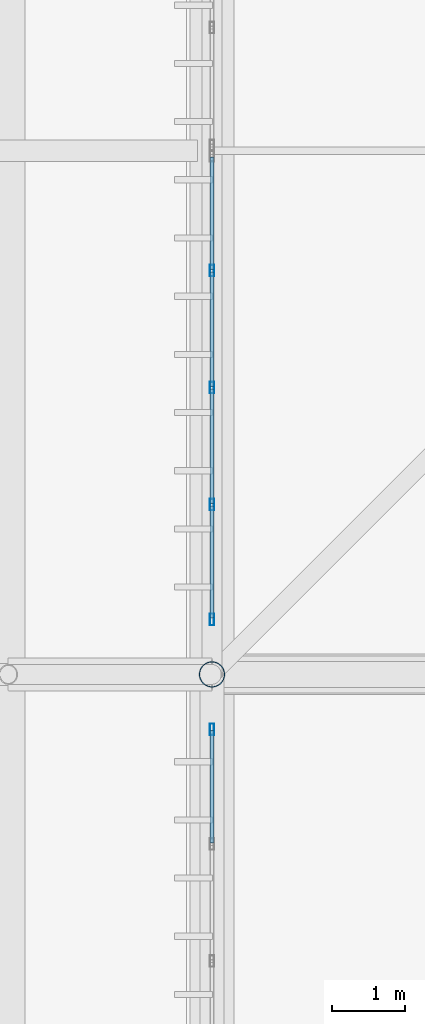
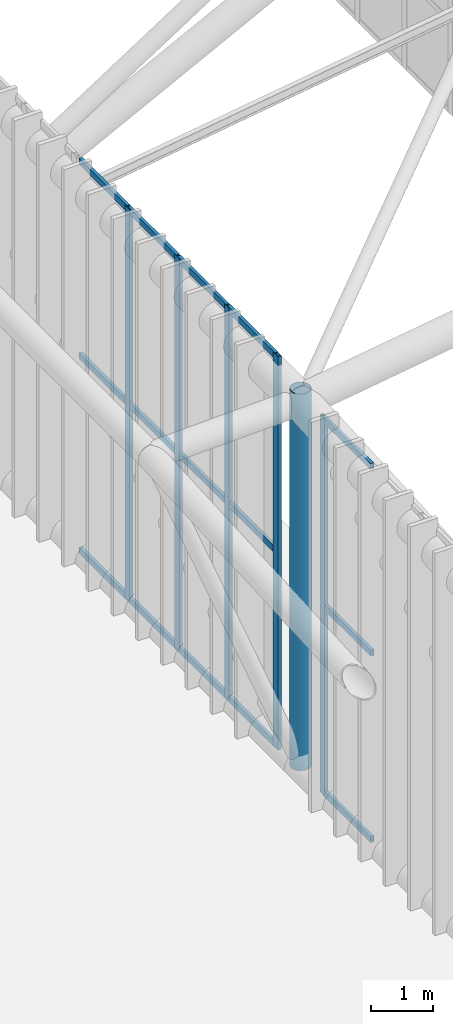
# One storey, part 66 of 397: 21 members, 2 elements without a shape of their own.
"""IFC4 building model written with IfcOpenShell, lengths in metres."""

from ifc_helpers import new_model, si_unit, direction, frame, origin, origin_2d, place, context, subcontext, project, spatial, hollow_rectangle, hollow_circle, extrude, material, material_profile, profile_set, type_object, element, aggregate, save


model = new_model("IFC4")

# Units and contexts
model_context = context("Model", 3, precision=1e-05, world=origin(), true_north=direction((0.0, 1.0)))
body_context = subcontext(model_context, "Body", "Model", "MODEL_VIEW")
ifc_project = project(units=[si_unit("LENGTHUNIT", "METRE"), si_unit("AREAUNIT", "SQUARE_METRE"), si_unit("VOLUMEUNIT", "CUBIC_METRE"), si_unit("PLANEANGLEUNIT", "RADIAN"), si_unit("MASSUNIT", "GRAM", prefix="KILO")], contexts=[model_context])

# Site, building, storey
site_placement = place(None, origin())
site = spatial("IfcSite", under=ifc_project, at=site_placement, CompositionType="ELEMENT")
building_placement = place(site_placement, origin())
building = spatial("IfcBuilding", under=site, at=building_placement, Name="Qandorah Velis Arena", CompositionType="ELEMENT")
storey_placement = place(building_placement, frame((0.0, 0.0, 27.5)))
storey = spatial("IfcBuildingStorey", under=building, at=storey_placement, Name="RF", CompositionType="ELEMENT", Elevation=27.5)

# Curtain wall, member
ifc_material_1 = material(Name="Solar-control low-E double glazing", Category="glass")
curtain_wall_type = type_object("IfcCurtainWallType", Name="ARC-CW-SYS04", PredefinedType="USERDEFINED", material=ifc_material_1)
curtain_wall_1_placement = place(storey_placement, origin())
curtain_wall_1 = element("IfcCurtainWall", 1, at=curtain_wall_1_placement, inside=storey, type_object=curtain_wall_type, Name="Unitised curtain wall CROWN-1-03S2", ObjectType="UNITISED CURTAIN WALL", PredefinedType="USERDEFINED")
ifc_material_2 = material(Name="Champagne-bronze anodized aluminium 6063-T6", Category="aluminium")
ifc_material_profile_1 = material_profile(ifc_material_2, hollow_rectangle(XDim=0.06005859375, YDim=0.159912109375, WallThickness=0.00341796875, at=origin_2d()), Name="ALU MULLION 60x160")
ifc_profile_set_1 = profile_set([ifc_material_profile_1], Name="Champagne-bronze anodized aluminium 6063-T6")
member_type_1 = type_object("IfcMemberType", Name="ARC-CWM-160", PredefinedType="MULLION", material=ifc_profile_set_1)
member_1_placement = place(storey_placement, frame((14.39990234375, 56.844970703125, -0.014892578125), z_axis=(0.0, 0.0, 1.0), x_axis=(-1.0, 0.0, 0.0)))
member_1 = element("IfcMember", 2, at=member_1_placement, type_object=member_type_1, Name="CW04 mullion 5", PredefinedType="MULLION", context=body_context, shape_type="SweptSolid", body=[
    extrude(hollow_rectangle(XDim=0.06005859375, YDim=0.159912109375, WallThickness=0.00341796875, at=origin_2d()), origin(), (0.0, 0.0, 1.0), 7.452392578125),
])

# Curtain wall, members
curtain_wall_2_placement = place(storey_placement, origin())
curtain_wall_2 = element("IfcCurtainWall", 3, at=curtain_wall_2_placement, inside=storey, type_object=curtain_wall_type, Name="Unitised curtain wall CROWN-1-04S1", ObjectType="UNITISED CURTAIN WALL", PredefinedType="USERDEFINED")
member_2_placement = place(storey_placement, frame((14.39990234375, 58.35498046875, -0.014892578125), z_axis=(0.0, 0.0, 1.0), x_axis=(-1.0, 0.0, 0.0)))
member_2 = element("IfcMember", 4, at=member_2_placement, type_object=member_type_1, Name="CW04 mullion 1", PredefinedType="MULLION", context=body_context, shape_type="SweptSolid", body=[
    extrude(hollow_rectangle(XDim=0.06005859375, YDim=0.159912109375, WallThickness=0.00341796875, at=origin_2d()), origin(), (0.0, 0.0, 1.0), 7.764892578125),
])
member_3_placement = place(storey_placement, frame((14.39990234375, 59.933837890625, -0.014892578125), z_axis=(0.0, 0.0, 1.0), x_axis=(-1.0, 0.0, 0.0)))
member_3 = element("IfcMember", 5, at=member_3_placement, type_object=member_type_1, Name="CW04 mullion 2", PredefinedType="MULLION", context=body_context, shape_type="SweptSolid", body=[
    extrude(hollow_rectangle(XDim=0.06005859375, YDim=0.159912109375, WallThickness=0.00341796875, at=origin_2d()), origin(), (0.0, 0.0, 1.0), 7.764892578125),
])
member_4_placement = place(storey_placement, frame((14.39990234375, 61.54248046875, -0.014892578125), z_axis=(0.0, 0.0, 1.0), x_axis=(-1.0, 0.0, 0.0)))
member_4 = element("IfcMember", 6, at=member_4_placement, type_object=member_type_1, Name="CW04 mullion 3", PredefinedType="MULLION", context=body_context, shape_type="SweptSolid", body=[
    extrude(hollow_rectangle(XDim=0.06005859375, YDim=0.159912109375, WallThickness=0.00341796875, at=origin_2d()), origin(), (0.0, 0.0, 1.0), 7.764892578125),
])
member_5_placement = place(storey_placement, frame((14.39990234375, 63.1513671875, -0.014892578125), z_axis=(0.0, 0.0, 1.0), x_axis=(-1.0, 0.0, 0.0)))
member_5 = element("IfcMember", 7, at=member_5_placement, type_object=member_type_1, Name="CW04 mullion 4", PredefinedType="MULLION", context=body_context, shape_type="SweptSolid", body=[
    extrude(hollow_rectangle(XDim=0.06005859375, YDim=0.159912109375, WallThickness=0.00341796875, at=origin_2d()), origin(), (0.0, 0.0, 1.0), 7.764892578125),
])

# Member
ifc_material_profile_2 = material_profile(ifc_material_2, hollow_rectangle(XDim=0.06005859375, YDim=0.1201171875, WallThickness=0.0029296875, at=origin_2d()), Name="ALU TRANSOM 60x120")
ifc_profile_set_2 = profile_set([ifc_material_profile_2], Name="Champagne-bronze anodized aluminium 6063-T6")
member_type_2 = type_object("IfcMemberType", Name="ARC-CWT-120", PredefinedType="USERDEFINED", material=ifc_profile_set_2)
member_6_placement = place(storey_placement, frame((14.39990234375, 55.2841796875, 0.030029296875), z_axis=(0.0, 1.0, 0.0), x_axis=(-1.0, 0.0, 0.0)))
member_6 = element("IfcMember", 8, at=member_6_placement, type_object=member_type_2, Name="CW04 transom 4.1", ObjectType="TRANSOM", PredefinedType="USERDEFINED", context=body_context, shape_type="SweptSolid", body=[
    extrude(hollow_rectangle(XDim=0.06005859375, YDim=0.1201171875, WallThickness=0.0029296875, at=origin_2d()), origin(), (0.0, 0.0, 1.0), 1.542724609375),
])

member_7_placement = place(storey_placement, frame((14.39990234375, 55.2841796875, 3.711181640625), z_axis=(0.0, 1.0, 0.0), x_axis=(-1.0, 0.0, 0.0)))
member_7 = element("IfcMember", 9, at=member_7_placement, type_object=member_type_2, Name="CW04 transom 4.2", ObjectType="TRANSOM", PredefinedType="USERDEFINED", context=body_context, shape_type="SweptSolid", body=[
    extrude(hollow_rectangle(XDim=0.06005859375, YDim=0.1201171875, WallThickness=0.0029296875, at=origin_2d()), origin(), (0.0, 0.0, 1.0), 1.542724609375),
])

member_8_placement = place(storey_placement, frame((14.39990234375, 55.2841796875, 7.392578125), z_axis=(0.0, 1.0, 0.0), x_axis=(-1.0, 0.0, 0.0)))
member_8 = element("IfcMember", 10, at=member_8_placement, type_object=member_type_2, Name="CW04 transom 4.3", ObjectType="TRANSOM", PredefinedType="USERDEFINED", context=body_context, shape_type="SweptSolid", body=[
    extrude(hollow_rectangle(XDim=0.06005859375, YDim=0.1201171875, WallThickness=0.0029296875, at=origin_2d()), origin(), (0.0, 0.0, 1.0), 1.542724609375),
])

aggregate(curtain_wall_1, [member_1, member_6, member_7, member_8])

member_9_placement = place(storey_placement, frame((14.39990234375, 58.373046875, 0.030029296875), z_axis=(0.0, 1.0, 0.0), x_axis=(-1.0, 0.0, 0.0)))
member_9 = element("IfcMember", 11, at=member_9_placement, type_object=member_type_2, Name="CW04 transom 1.1", ObjectType="TRANSOM", PredefinedType="USERDEFINED", context=body_context, shape_type="SweptSolid", body=[
    extrude(hollow_rectangle(XDim=0.06005859375, YDim=0.1201171875, WallThickness=0.0029296875, at=origin_2d()), origin(), (0.0, 0.0, 1.0), 1.542724609375),
])

member_10_placement = place(storey_placement, frame((14.39990234375, 58.373046875, 3.86767578125), z_axis=(0.0, 1.0, 0.0), x_axis=(-1.0, 0.0, 0.0)))
member_10 = element("IfcMember", 12, at=member_10_placement, type_object=member_type_2, Name="CW04 transom 1.2", ObjectType="TRANSOM", PredefinedType="USERDEFINED", context=body_context, shape_type="SweptSolid", body=[
    extrude(hollow_rectangle(XDim=0.06005859375, YDim=0.1201171875, WallThickness=0.0029296875, at=origin_2d()), origin(), (0.0, 0.0, 1.0), 1.542724609375),
])

member_11_placement = place(storey_placement, frame((14.39990234375, 58.373046875, 7.705078125), z_axis=(0.0, 1.0, 0.0), x_axis=(-1.0, 0.0, 0.0)))
member_11 = element("IfcMember", 13, at=member_11_placement, type_object=member_type_2, Name="CW04 transom 1.3", ObjectType="TRANSOM", PredefinedType="USERDEFINED", context=body_context, shape_type="SweptSolid", body=[
    extrude(hollow_rectangle(XDim=0.06005859375, YDim=0.1201171875, WallThickness=0.0029296875, at=origin_2d()), origin(), (0.0, 0.0, 1.0), 1.542724609375),
])

member_12_placement = place(storey_placement, frame((14.39990234375, 59.951904296875, 0.030029296875), z_axis=(0.0, 1.0, 0.0), x_axis=(-1.0, 0.0, 0.0)))
member_12 = element("IfcMember", 14, at=member_12_placement, type_object=member_type_2, Name="CW04 transom 2.1", ObjectType="TRANSOM", PredefinedType="USERDEFINED", context=body_context, shape_type="SweptSolid", body=[
    extrude(hollow_rectangle(XDim=0.06005859375, YDim=0.1201171875, WallThickness=0.0029296875, at=origin_2d()), origin(), (0.0, 0.0, 1.0), 1.572509765625),
])

member_13_placement = place(storey_placement, frame((14.39990234375, 59.951904296875, 3.86767578125), z_axis=(0.0, 1.0, 0.0), x_axis=(-1.0, 0.0, 0.0)))
member_13 = element("IfcMember", 15, at=member_13_placement, type_object=member_type_2, Name="CW04 transom 2.2", ObjectType="TRANSOM", PredefinedType="USERDEFINED", context=body_context, shape_type="SweptSolid", body=[
    extrude(hollow_rectangle(XDim=0.06005859375, YDim=0.1201171875, WallThickness=0.0029296875, at=origin_2d()), origin(), (0.0, 0.0, 1.0), 1.572509765625),
])

member_14_placement = place(storey_placement, frame((14.39990234375, 59.951904296875, 7.705078125), z_axis=(0.0, 1.0, 0.0), x_axis=(-1.0, 0.0, 0.0)))
member_14 = element("IfcMember", 16, at=member_14_placement, type_object=member_type_2, Name="CW04 transom 2.3", ObjectType="TRANSOM", PredefinedType="USERDEFINED", context=body_context, shape_type="SweptSolid", body=[
    extrude(hollow_rectangle(XDim=0.06005859375, YDim=0.1201171875, WallThickness=0.0029296875, at=origin_2d()), origin(), (0.0, 0.0, 1.0), 1.572509765625),
])

member_15_placement = place(storey_placement, frame((14.39990234375, 61.560546875, 0.030029296875), z_axis=(0.0, 1.0, 0.0), x_axis=(-1.0, 0.0, 0.0)))
member_15 = element("IfcMember", 17, at=member_15_placement, type_object=member_type_2, Name="CW04 transom 3.1", ObjectType="TRANSOM", PredefinedType="USERDEFINED", context=body_context, shape_type="SweptSolid", body=[
    extrude(hollow_rectangle(XDim=0.06005859375, YDim=0.1201171875, WallThickness=0.0029296875, at=origin_2d()), origin(), (0.0, 0.0, 1.0), 1.57275390625),
])

member_16_placement = place(storey_placement, frame((14.39990234375, 61.560546875, 3.86767578125), z_axis=(0.0, 1.0, 0.0), x_axis=(-1.0, 0.0, 0.0)))
member_16 = element("IfcMember", 18, at=member_16_placement, type_object=member_type_2, Name="CW04 transom 3.2", ObjectType="TRANSOM", PredefinedType="USERDEFINED", context=body_context, shape_type="SweptSolid", body=[
    extrude(hollow_rectangle(XDim=0.06005859375, YDim=0.1201171875, WallThickness=0.0029296875, at=origin_2d()), origin(), (0.0, 0.0, 1.0), 1.57275390625),
])

member_17_placement = place(storey_placement, frame((14.39990234375, 61.560546875, 7.705078125), z_axis=(0.0, 1.0, 0.0), x_axis=(-1.0, 0.0, 0.0)))
member_17 = element("IfcMember", 19, at=member_17_placement, type_object=member_type_2, Name="CW04 transom 3.3", ObjectType="TRANSOM", PredefinedType="USERDEFINED", context=body_context, shape_type="SweptSolid", body=[
    extrude(hollow_rectangle(XDim=0.06005859375, YDim=0.1201171875, WallThickness=0.0029296875, at=origin_2d()), origin(), (0.0, 0.0, 1.0), 1.57275390625),
])

member_18_placement = place(storey_placement, frame((14.39990234375, 63.169189453125, 0.030029296875), z_axis=(0.0, 1.0, 0.0), x_axis=(-1.0, 0.0, 0.0)))
member_18 = element("IfcMember", 20, at=member_18_placement, type_object=member_type_2, Name="CW04 transom 4.1", ObjectType="TRANSOM", PredefinedType="USERDEFINED", context=body_context, shape_type="SweptSolid", body=[
    extrude(hollow_rectangle(XDim=0.06005859375, YDim=0.1201171875, WallThickness=0.0029296875, at=origin_2d()), origin(), (0.0, 0.0, 1.0), 1.542724609375),
])

member_19_placement = place(storey_placement, frame((14.39990234375, 63.169189453125, 3.86767578125), z_axis=(0.0, 1.0, 0.0), x_axis=(-1.0, 0.0, 0.0)))
member_19 = element("IfcMember", 21, at=member_19_placement, type_object=member_type_2, Name="CW04 transom 4.2", ObjectType="TRANSOM", PredefinedType="USERDEFINED", context=body_context, shape_type="SweptSolid", body=[
    extrude(hollow_rectangle(XDim=0.06005859375, YDim=0.1201171875, WallThickness=0.0029296875, at=origin_2d()), origin(), (0.0, 0.0, 1.0), 1.542724609375),
])

member_20_placement = place(storey_placement, frame((14.39990234375, 63.169189453125, 7.705078125), z_axis=(0.0, 1.0, 0.0), x_axis=(-1.0, 0.0, 0.0)))
member_20 = element("IfcMember", 22, at=member_20_placement, type_object=member_type_2, Name="CW04 transom 4.3", ObjectType="TRANSOM", PredefinedType="USERDEFINED", context=body_context, shape_type="SweptSolid", body=[
    extrude(hollow_rectangle(XDim=0.06005859375, YDim=0.1201171875, WallThickness=0.0029296875, at=origin_2d()), origin(), (0.0, 0.0, 1.0), 1.542724609375),
])

aggregate(curtain_wall_2, [member_2, member_3, member_4, member_5, member_9, member_10, member_11, member_12, member_13, member_14, member_15, member_16, member_17, member_18, member_19, member_20])

ifc_material_3 = material(Name="Steel S355", Category="steel")
ifc_material_profile_3 = material_profile(ifc_material_3, hollow_circle(Radius=0.177734375, WallThickness=0.012451171875, at=origin_2d()), Name="CHS 355.6x12.5")
ifc_profile_set_3 = profile_set([ifc_material_profile_3], Name="Steel S355")
member_type_3 = type_object("IfcMemberType", Name="STR-SFD-CHS355X12", PredefinedType="STRUT", material=ifc_profile_set_3)
member_21_placement = place(storey_placement, frame((14.39990234375, 57.60009765625, 0.10009765625), z_axis=(0.0, 0.0, 1.0), x_axis=(1.0, 0.0, 0.0)))
element("IfcMember", 23, at=member_21_placement, inside=storey, type_object=member_type_3, Name="Space frame roof vertical post 0.3", PredefinedType="STRUT", context=body_context, shape_type="SweptSolid", body=[
    extrude(hollow_circle(Radius=0.177734375, WallThickness=0.012451171875, at=origin_2d()), origin(), (0.0, 0.0, 1.0), 7.430419921875),
])

save(model, "model.ifc")
